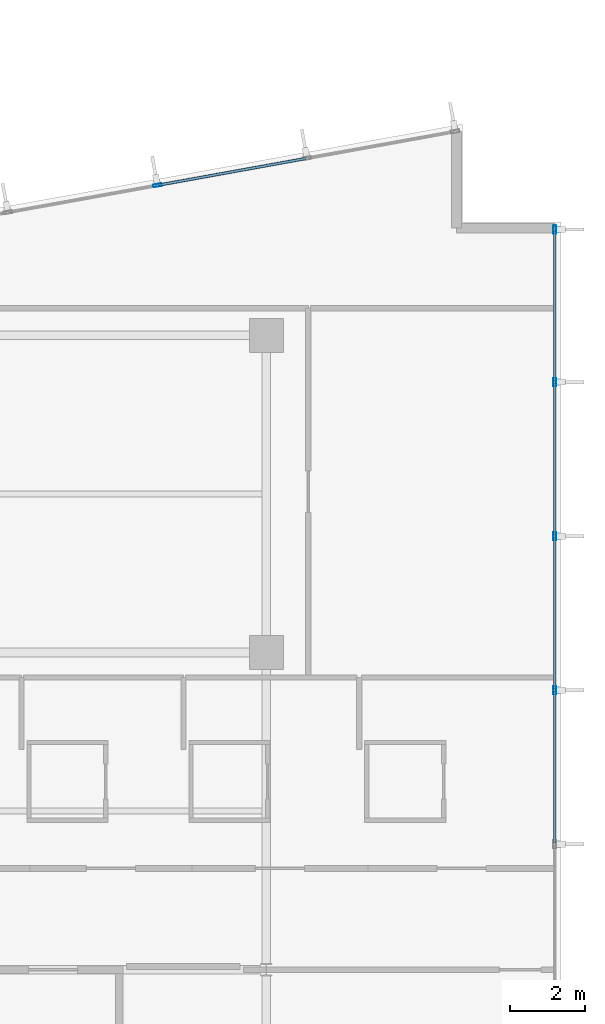
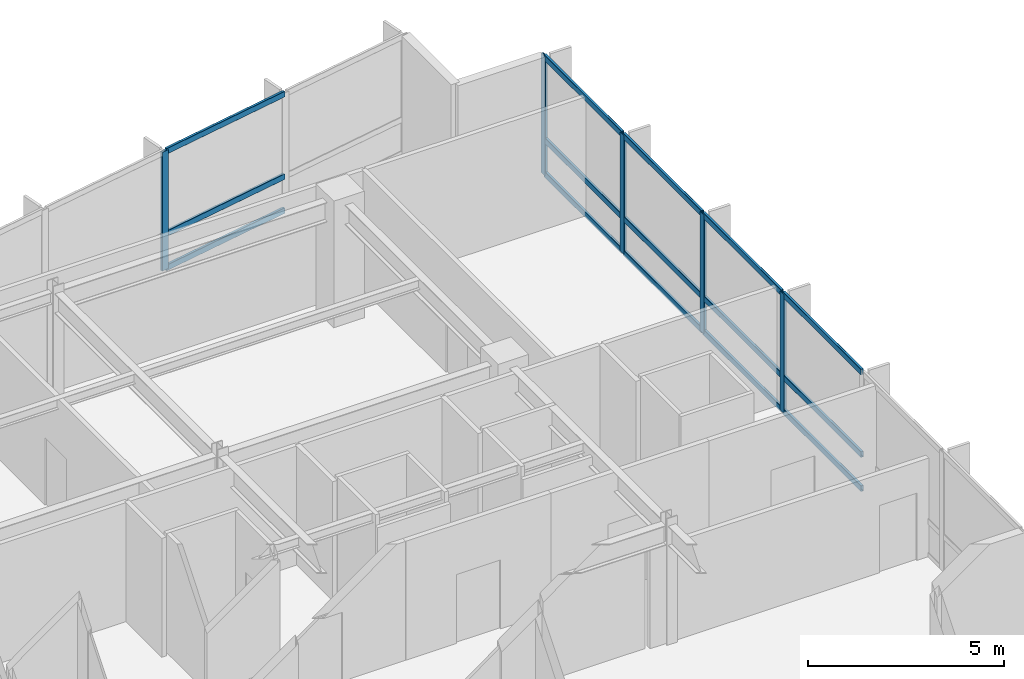
# One storey, part 8 of 19: 20 members, 2 elements without a shape of their own.
"""IFC4 building model written with IfcOpenShell, lengths in metres."""

import ifcopenshell
import ifcopenshell.guid

model = None  # the IFC model being written
_history = None  # IfcOwnerHistory: only IFC2X3 demands one
_inside = {}  # id of a spatial element -> (the spatial element, [elements in it])
_under = {}  # id of a project, library or spatial element -> (it, [spatial elements below it])
_declared = {}  # id of a project -> (the project, [libraries it declares])
_typed = {}  # id of a type object -> (the type object, [elements of that type])
_made_of = {}  # id of a material, layer set ... -> (it, [elements and type objects made of it])


def new_model(schema):
    """Start an empty IFC model of exactly this schema.

    Asked for "IFC4X3", IfcOpenShell would pick the latest addendum, in which some entities
    have other attributes; the version numbers below select the first issue.
    IFC2X3 requires an IfcOwnerHistory on every rooted entity: one is made here for all.
    """
    global model, _history
    if schema == "IFC4X3":
        model = ifcopenshell.file(schema_version=(4, 3, 0, 0))
    else:
        model = ifcopenshell.file(schema=schema)
    _inside.clear()
    _under.clear()
    _declared.clear()
    _typed.clear()
    _made_of.clear()
    _history = None
    if model.schema == "IFC2X3":
        org = make("IfcOrganization", Name="unknown")
        user = make(
            "IfcPersonAndOrganization",
            ThePerson=make("IfcPerson", FamilyName="unknown"),
            TheOrganization=org,
        )
        app = make(
            "IfcApplication",
            ApplicationDeveloper=org,
            Version="unknown",
            ApplicationFullName="unknown",
            ApplicationIdentifier="unknown",
        )
        _history = make(
            "IfcOwnerHistory",
            OwningUser=user,
            OwningApplication=app,
            ChangeAction="ADDED",
            CreationDate=0,
        )
    return model


def make(cls, **values):
    """One entity of the class cls with the attributes given. An attribute that is None is left unset."""
    return model.create_entity(
        cls, **{name: value for name, value in values.items() if value is not None}
    )


def rooted(cls, **values):
    """An entity with a GlobalId (a new one), such as an element, a storey or a relation."""
    return make(cls, GlobalId=ifcopenshell.guid.new(), OwnerHistory=_history, **values)


def si_unit(unit_type, name, prefix=None):
    """IfcSIUnit, for example si_unit("LENGTHUNIT", "METRE", prefix="MILLI")."""
    return make("IfcSIUnit", UnitType=unit_type, Prefix=prefix, Name=name)


def assignment(units):
    """IfcUnitAssignment: the units of a project."""
    return None if units is None else make("IfcUnitAssignment", Units=units)


def point(xyz):
    """IfcCartesianPoint."""
    return None if xyz is None else make("IfcCartesianPoint", Coordinates=xyz)


def direction(xyz):
    """IfcDirection."""
    return None if xyz is None else make("IfcDirection", DirectionRatios=xyz)


def frame(location, z_axis=None, x_axis=None):
    """IfcAxis2Placement3D, a coordinate frame: its origin and axes. An axis left out is left unset."""
    return make(
        "IfcAxis2Placement3D",
        Location=point(location),
        Axis=direction(z_axis),
        RefDirection=direction(x_axis),
    )


def frame_2d(location, x_axis=None):
    """IfcAxis2Placement2D, a coordinate frame in the plane: its origin and x axis."""
    return make(
        "IfcAxis2Placement2D", Location=point(location), RefDirection=direction(x_axis)
    )


def origin():
    """The frame at (0, 0, 0) with its axes left unset."""
    return frame((0.0, 0.0, 0.0))


def origin_2d():
    """The frame at (0, 0) in the plane with its x axis left unset."""
    return frame_2d((0.0, 0.0))


def place(relative_to, where):
    """IfcLocalPlacement: puts the frame where relative to a parent placement (None: the world)."""
    return make(
        "IfcLocalPlacement", PlacementRelTo=relative_to, RelativePlacement=where
    )


def context(
    kind, dimensions, precision=None, world=None, true_north=None, identifier=None
):
    """IfcGeometricRepresentationContext, for example the 3D "Model" context."""
    return make(
        "IfcGeometricRepresentationContext",
        ContextIdentifier=identifier,
        ContextType=kind,
        CoordinateSpaceDimension=dimensions,
        Precision=precision,
        WorldCoordinateSystem=world,
        TrueNorth=true_north,
    )


def subcontext(parent, identifier, kind, view, scale=None):
    """IfcGeometricRepresentationSubContext, for example "Body" below "Model"."""
    return make(
        "IfcGeometricRepresentationSubContext",
        ContextIdentifier=identifier,
        ContextType=kind,
        ParentContext=parent,
        TargetScale=scale,
        TargetView=view,
    )


def project(units=None, contexts=None):
    """IfcProject with its units and contexts."""
    return rooted(
        "IfcProject",
        Name="project",
        RepresentationContexts=contexts,
        UnitsInContext=assignment(units),
    )


def spatial(cls, under=None, at=None, **own):
    """A site, building, storey or space (cls), placed at a placement, below another one or the project."""
    s = rooted(cls, ObjectPlacement=at, **own)
    if under is not None:
        _under.setdefault(under.id(), (under, []))[1].append(s)
    return s


def profile(cls, at=None, kind="AREA", **sizes):
    """A parametric profile (cls). Its sizes go by their IFC names, for example OverallWidth=200.0."""
    return make(cls, ProfileType=kind, Position=at, **sizes)


def hollow_rectangle(**sizes):
    """IfcRectangleHollowProfileDef."""
    return profile("IfcRectangleHollowProfileDef", **sizes)


def extrude(swept, where, along, depth):
    """IfcExtrudedAreaSolid: the profile swept, set in the frame where, extruded along a direction by depth."""
    return make(
        "IfcExtrudedAreaSolid",
        SweptArea=swept,
        Position=where,
        ExtrudedDirection=direction(along),
        Depth=depth,
    )


def shape(context_of_items, identifier, shape_type, items):
    """IfcShapeRepresentation: the items that make up one representation, for example the "Body"."""
    return make(
        "IfcShapeRepresentation",
        ContextOfItems=context_of_items,
        RepresentationIdentifier=identifier,
        RepresentationType=shape_type,
        Items=items,
    )


def material(Name=None, Category=None):
    """IfcMaterial."""
    return make("IfcMaterial", Name=Name, Category=Category)


def layer(
    of_material, thickness, ventilated=None, Name=None, Category=None, Priority=None
):
    """IfcMaterialLayer: one layer of a wall or slab, of a material (None: an air gap)."""
    return make(
        "IfcMaterialLayer",
        Material=of_material,
        LayerThickness=thickness,
        IsVentilated=ventilated,
        Name=Name,
        Category=Category,
        Priority=Priority,
    )


def layer_set(layers, Name=None):
    """IfcMaterialLayerSet."""
    return make("IfcMaterialLayerSet", MaterialLayers=layers, LayerSetName=Name)


def material_profile(
    of_material, cross_section, Name=None, Category=None, Priority=None
):
    """IfcMaterialProfile: a cross section and its material."""
    return make(
        "IfcMaterialProfile",
        Name=Name,
        Material=of_material,
        Profile=cross_section,
        Priority=Priority,
        Category=Category,
    )


def profile_set(profiles, Name=None, composite=None):
    """IfcMaterialProfileSet."""
    return make(
        "IfcMaterialProfileSet",
        Name=Name,
        MaterialProfiles=profiles,
        CompositeProfile=composite,
    )


def made_of(thing, what):
    """Note that an element or type object is made of a material, layer set ...; save() writes the relation."""
    if what is not None:
        _made_of.setdefault(what.id(), (what, []))[1].append(thing)
    return thing


def type_object(cls, material=None, **own):
    """A type object (cls), such as IfcWallType, which elements share."""
    return made_of(rooted(cls, **own), material)


def element(
    cls,
    number,
    at=None,
    inside=None,
    cuts=None,
    type_object=None,
    material=None,
    context=None,
    identifier="Body",
    shape_type=None,
    held_by="IfcProductDefinitionShape",
    body=None,
    shapes=None,
    **own,
):
    """One element of the class cls, such as IfcWall. Its Tag is "e" and its number.

    at: its placement. inside: the storey or other place that contains it. cuts: it is an
    opening in that element (IfcRelVoidsElement). A single representation is given by context,
    identifier, shape_type and body (its items); several are given by shapes. held_by: the class
    of the entity that holds the representations. save() writes the other relations.
    """
    e = rooted(cls, Tag="e%d" % number, ObjectPlacement=at, **own)
    if body is not None:
        shapes = [shape(context, identifier, shape_type, body)]
    if shapes is not None:
        e.Representation = make(held_by, Representations=shapes)
    if inside is not None:
        _inside.setdefault(inside.id(), (inside, []))[1].append(e)
    if cuts is not None:
        rooted(
            "IfcRelVoidsElement", RelatingBuildingElement=cuts, RelatedOpeningElement=e
        )
    if type_object is not None:
        _typed.setdefault(type_object.id(), (type_object, []))[1].append(e)
    return made_of(e, material)


def aggregate(whole, parts):
    """IfcRelAggregates: a whole, such as a stair, and the parts it consists of."""
    return rooted("IfcRelAggregates", RelatingObject=whole, RelatedObjects=parts)


def save(model, path):
    """Write the relations noted so far, then the file.

    IfcRelAggregates (storeys below a building ...), IfcRelContainedInSpatialStructure (elements
    in a storey), IfcRelDefinesByType, IfcRelAssociatesMaterial and IfcRelDeclares: one each for
    every whole, place, type object, material and project.
    """
    for whole, parts in _under.values():
        aggregate(whole, parts)
    for where, things in _inside.values():
        rooted(
            "IfcRelContainedInSpatialStructure",
            RelatedElements=things,
            RelatingStructure=where,
        )
    for kind, things in _typed.values():
        rooted("IfcRelDefinesByType", RelatedObjects=things, RelatingType=kind)
    for what, things in _made_of.values():
        rooted("IfcRelAssociatesMaterial", RelatedObjects=things, RelatingMaterial=what)
    for by, libraries in _declared.values():
        rooted("IfcRelDeclares", RelatingContext=by, RelatedDefinitions=libraries)
    model.write(path)


model = new_model("IFC4")

# Units and contexts
model_context = context("Model", 3, precision=1e-05, world=origin(), true_north=direction((0.0, 1.0)))
body_context = subcontext(model_context, "Body", "Model", "MODEL_VIEW")
ifc_project = project(units=[si_unit("LENGTHUNIT", "METRE"), si_unit("AREAUNIT", "SQUARE_METRE"), si_unit("VOLUMEUNIT", "CUBIC_METRE"), si_unit("PLANEANGLEUNIT", "RADIAN"), si_unit("MASSUNIT", "GRAM", prefix="KILO")], contexts=[model_context])

# Site, building, storey
site_placement = place(None, origin())
site = spatial("IfcSite", under=ifc_project, at=site_placement, CompositionType="ELEMENT")
building_placement = place(site_placement, origin())
building = spatial("IfcBuilding", under=site, at=building_placement, Name="Varnakote Quay Hospital", CompositionType="ELEMENT")
storey_placement = place(building_placement, frame((0.0, 0.0, 85.699951171875)))
storey = spatial("IfcBuildingStorey", under=building, at=storey_placement, Name="L21", CompositionType="ELEMENT", Elevation=85.699951171875)

# Curtain wall, members
ifc_material_1 = material(Name="Anodised aluminium 6063-T6 Bronze", Category="aluminium")
ifc_layer = layer(ifc_material_1, 0.18994140625)
ifc_layer_set = layer_set([ifc_layer], Name="Anodised aluminium 6063-T6 Bronze")
curtain_wall_type = type_object("IfcCurtainWallType", Name="CW-SYS-2", PredefinedType="NOTDEFINED", material=ifc_layer_set)
curtain_wall_1_placement = place(storey_placement, origin())
curtain_wall_1 = element("IfcCurtainWall", 1, at=curtain_wall_1_placement, inside=storey, type_object=curtain_wall_type, Name="L21 Unitised Bronze Curtain Wall 1", PredefinedType="NOTDEFINED")
ifc_material_2 = material(Name="Anodised aluminium 6063-T6 Bronze", Category="aluminium")
ifc_material_profile_1 = material_profile(ifc_material_2, hollow_rectangle(XDim=0.074951171875, YDim=0.219970703125, WallThickness=0.00439453125, InnerFilletRadius=0.00439453125, OuterFilletRadius=0.009033203125, at=origin_2d()), Name="CW-MULL-220x75")
ifc_profile_set_1 = profile_set([ifc_material_profile_1], Name="Anodised aluminium 6063-T6 Bronze")
member_type_1 = type_object("IfcMemberType", Name="CW-MULL-220x75", PredefinedType="MULLION", material=ifc_profile_set_1)
member_1_placement = place(storey_placement, frame((58.0400390625, 19.39990234375, 0.0), z_axis=(0.0, 0.0, 1.0), x_axis=(-1.0, 0.0, 0.0)))
member_1 = element("IfcMember", 2, at=member_1_placement, type_object=member_type_1, Name="-2-L21-1 mullion 4", PredefinedType="MULLION", context=body_context, shape_type="SweptSolid", body=[
    extrude(hollow_rectangle(XDim=0.074951171875, YDim=0.219970703125, WallThickness=0.00439453125, InnerFilletRadius=0.00439453125, OuterFilletRadius=0.009033203125, at=origin_2d()), origin(), (0.0, 0.0, 1.0), 3.7099609375),
])
member_2_placement = place(storey_placement, frame((58.0400390625, 23.47998046875, 0.0), z_axis=(0.0, 0.0, 1.0), x_axis=(-1.0, 0.0, 0.0)))
member_2 = element("IfcMember", 3, at=member_2_placement, type_object=member_type_1, Name="-2-L21-1 mullion 5", PredefinedType="MULLION", context=body_context, shape_type="SweptSolid", body=[
    extrude(hollow_rectangle(XDim=0.074951171875, YDim=0.219970703125, WallThickness=0.00439453125, InnerFilletRadius=0.00439453125, OuterFilletRadius=0.009033203125, at=origin_2d()), origin(), (0.0, 0.0, 1.0), 3.7099609375),
])
member_3_placement = place(storey_placement, frame((58.0400390625, 27.56005859375, 0.0), z_axis=(0.0, 0.0, 1.0), x_axis=(-1.0, 0.0, 0.0)))
member_3 = element("IfcMember", 4, at=member_3_placement, type_object=member_type_1, Name="-2-L21-1 mullion 6", PredefinedType="MULLION", context=body_context, shape_type="SweptSolid", body=[
    extrude(hollow_rectangle(XDim=0.074951171875, YDim=0.219970703125, WallThickness=0.00439453125, InnerFilletRadius=0.00439453125, OuterFilletRadius=0.009033203125, at=origin_2d()), origin(), (0.0, 0.0, 1.0), 3.7099609375),
])
member_4_placement = place(storey_placement, frame((58.0400390625, 31.6025390625, 0.0), z_axis=(0.0, 0.0, 1.0), x_axis=(-1.0, 0.0, 0.0)))
member_4 = element("IfcMember", 5, at=member_4_placement, type_object=member_type_1, Name="-2-L21-1 mullion 7", PredefinedType="MULLION", context=body_context, shape_type="SweptSolid", body=[
    extrude(hollow_rectangle(XDim=0.074951171875, YDim=0.219970703125, WallThickness=0.00439453125, InnerFilletRadius=0.00439453125, OuterFilletRadius=0.009033203125, at=origin_2d()), origin(), (0.0, 0.0, 1.0), 3.7099609375),
])

# Curtain wall, member
curtain_wall_2_placement = place(storey_placement, origin())
curtain_wall_2 = element("IfcCurtainWall", 6, at=curtain_wall_2_placement, inside=storey, type_object=curtain_wall_type, Name="L21 Unitised Bronze Curtain Wall 2", PredefinedType="NOTDEFINED")
member_5_placement = place(storey_placement, frame((47.514892578125, 32.776123046875, 0.0), z_axis=(0.0, 0.0, 1.0), x_axis=(0.177846199098, -0.984058295766, 0.0)))
member_5 = element("IfcMember", 7, at=member_5_placement, type_object=member_type_1, Name="-2-L21-2 mullion 3", PredefinedType="MULLION", context=body_context, shape_type="SweptSolid", body=[
    extrude(hollow_rectangle(XDim=0.074951171875, YDim=0.219970703125, WallThickness=0.00439453125, InnerFilletRadius=0.00439453125, OuterFilletRadius=0.009033203125, at=origin_2d()), origin(), (0.0, 0.0, 1.0), 3.7099609375),
])

# Member
ifc_material_3 = material(Name="Anodised aluminium 6063-T6 Bronze", Category="aluminium")
ifc_material_profile_2 = material_profile(ifc_material_3, hollow_rectangle(XDim=0.074951171875, YDim=0.179931640625, WallThickness=0.004150390625, InnerFilletRadius=0.004150390625, OuterFilletRadius=0.00830078125, at=origin_2d()), Name="CW-TRAN-180x75")
ifc_profile_set_2 = profile_set([ifc_material_profile_2], Name="Anodised aluminium 6063-T6 Bronze")
member_type_2 = type_object("IfcMemberType", Name="CW-TRAN-180x75", PredefinedType="USERDEFINED", material=ifc_profile_set_2)
member_6_placement = place(storey_placement, frame((58.0400390625, 15.357421875, 0.03759765625), z_axis=(0.0, 1.0, 0.0), x_axis=(-1.0, 0.0, 0.0)))
member_6 = element("IfcMember", 8, at=member_6_placement, type_object=member_type_2, Name="-2-L21-1 transom 3.1", ObjectType="TRANSOM", PredefinedType="USERDEFINED", context=body_context, shape_type="SweptSolid", body=[
    extrude(hollow_rectangle(XDim=0.074951171875, YDim=0.179931640625, WallThickness=0.004150390625, InnerFilletRadius=0.004150390625, OuterFilletRadius=0.00830078125, at=origin_2d()), origin(), (0.0, 0.0, 1.0), 4.005126953125),
])

member_7_placement = place(storey_placement, frame((58.0400390625, 15.357421875, 1.10009765625), z_axis=(0.0, 1.0, 0.0), x_axis=(-1.0, 0.0, 0.0)))
member_7 = element("IfcMember", 9, at=member_7_placement, type_object=member_type_2, Name="-2-L21-1 transom 3.2", ObjectType="TRANSOM", PredefinedType="USERDEFINED", context=body_context, shape_type="SweptSolid", body=[
    extrude(hollow_rectangle(XDim=0.074951171875, YDim=0.179931640625, WallThickness=0.004150390625, InnerFilletRadius=0.004150390625, OuterFilletRadius=0.00830078125, at=origin_2d()), origin(), (0.0, 0.0, 1.0), 4.005126953125),
])

member_8_placement = place(storey_placement, frame((58.0400390625, 15.357421875, 3.672607421875), z_axis=(0.0, 1.0, 0.0), x_axis=(-1.0, 0.0, 0.0)))
member_8 = element("IfcMember", 10, at=member_8_placement, type_object=member_type_2, Name="-2-L21-1 transom 3.3", ObjectType="TRANSOM", PredefinedType="USERDEFINED", context=body_context, shape_type="SweptSolid", body=[
    extrude(hollow_rectangle(XDim=0.074951171875, YDim=0.179931640625, WallThickness=0.004150390625, InnerFilletRadius=0.004150390625, OuterFilletRadius=0.00830078125, at=origin_2d()), origin(), (0.0, 0.0, 1.0), 4.005126953125),
])

member_9_placement = place(storey_placement, frame((58.0400390625, 19.4375, 0.03759765625), z_axis=(0.0, 1.0, 0.0), x_axis=(-1.0, 0.0, 0.0)))
member_9 = element("IfcMember", 11, at=member_9_placement, type_object=member_type_2, Name="-2-L21-1 transom 4.1", ObjectType="TRANSOM", PredefinedType="USERDEFINED", context=body_context, shape_type="SweptSolid", body=[
    extrude(hollow_rectangle(XDim=0.074951171875, YDim=0.179931640625, WallThickness=0.004150390625, InnerFilletRadius=0.004150390625, OuterFilletRadius=0.00830078125, at=origin_2d()), origin(), (0.0, 0.0, 1.0), 4.0048828125),
])

member_10_placement = place(storey_placement, frame((58.0400390625, 19.4375, 1.10009765625), z_axis=(0.0, 1.0, 0.0), x_axis=(-1.0, 0.0, 0.0)))
member_10 = element("IfcMember", 12, at=member_10_placement, type_object=member_type_2, Name="-2-L21-1 transom 4.2", ObjectType="TRANSOM", PredefinedType="USERDEFINED", context=body_context, shape_type="SweptSolid", body=[
    extrude(hollow_rectangle(XDim=0.074951171875, YDim=0.179931640625, WallThickness=0.004150390625, InnerFilletRadius=0.004150390625, OuterFilletRadius=0.00830078125, at=origin_2d()), origin(), (0.0, 0.0, 1.0), 4.0048828125),
])

member_11_placement = place(storey_placement, frame((58.0400390625, 19.4375, 3.672607421875), z_axis=(0.0, 1.0, 0.0), x_axis=(-1.0, 0.0, 0.0)))
member_11 = element("IfcMember", 13, at=member_11_placement, type_object=member_type_2, Name="-2-L21-1 transom 4.3", ObjectType="TRANSOM", PredefinedType="USERDEFINED", context=body_context, shape_type="SweptSolid", body=[
    extrude(hollow_rectangle(XDim=0.074951171875, YDim=0.179931640625, WallThickness=0.004150390625, InnerFilletRadius=0.004150390625, OuterFilletRadius=0.00830078125, at=origin_2d()), origin(), (0.0, 0.0, 1.0), 4.0048828125),
])

member_12_placement = place(storey_placement, frame((58.0400390625, 23.517578125, 0.03759765625), z_axis=(0.0, 1.0, 0.0), x_axis=(-1.0, 0.0, 0.0)))
member_12 = element("IfcMember", 14, at=member_12_placement, type_object=member_type_2, Name="-2-L21-1 transom 5.1", ObjectType="TRANSOM", PredefinedType="USERDEFINED", context=body_context, shape_type="SweptSolid", body=[
    extrude(hollow_rectangle(XDim=0.074951171875, YDim=0.179931640625, WallThickness=0.004150390625, InnerFilletRadius=0.004150390625, OuterFilletRadius=0.00830078125, at=origin_2d()), origin(), (0.0, 0.0, 1.0), 4.0048828125),
])

member_13_placement = place(storey_placement, frame((58.0400390625, 23.517578125, 1.10009765625), z_axis=(0.0, 1.0, 0.0), x_axis=(-1.0, 0.0, 0.0)))
member_13 = element("IfcMember", 15, at=member_13_placement, type_object=member_type_2, Name="-2-L21-1 transom 5.2", ObjectType="TRANSOM", PredefinedType="USERDEFINED", context=body_context, shape_type="SweptSolid", body=[
    extrude(hollow_rectangle(XDim=0.074951171875, YDim=0.179931640625, WallThickness=0.004150390625, InnerFilletRadius=0.004150390625, OuterFilletRadius=0.00830078125, at=origin_2d()), origin(), (0.0, 0.0, 1.0), 4.0048828125),
])

member_14_placement = place(storey_placement, frame((58.0400390625, 23.517578125, 3.672607421875), z_axis=(0.0, 1.0, 0.0), x_axis=(-1.0, 0.0, 0.0)))
member_14 = element("IfcMember", 16, at=member_14_placement, type_object=member_type_2, Name="-2-L21-1 transom 5.3", ObjectType="TRANSOM", PredefinedType="USERDEFINED", context=body_context, shape_type="SweptSolid", body=[
    extrude(hollow_rectangle(XDim=0.074951171875, YDim=0.179931640625, WallThickness=0.004150390625, InnerFilletRadius=0.004150390625, OuterFilletRadius=0.00830078125, at=origin_2d()), origin(), (0.0, 0.0, 1.0), 4.0048828125),
])

member_15_placement = place(storey_placement, frame((58.0400390625, 27.597412109375, 0.03759765625), z_axis=(0.0, 1.0, 0.0), x_axis=(-1.0, 0.0, 0.0)))
member_15 = element("IfcMember", 17, at=member_15_placement, type_object=member_type_2, Name="-2-L21-1 transom 6.1", ObjectType="TRANSOM", PredefinedType="USERDEFINED", context=body_context, shape_type="SweptSolid", body=[
    extrude(hollow_rectangle(XDim=0.074951171875, YDim=0.179931640625, WallThickness=0.004150390625, InnerFilletRadius=0.004150390625, OuterFilletRadius=0.00830078125, at=origin_2d()), origin(), (0.0, 0.0, 1.0), 3.967529296875),
])

member_16_placement = place(storey_placement, frame((58.0400390625, 27.597412109375, 1.10009765625), z_axis=(0.0, 1.0, 0.0), x_axis=(-1.0, 0.0, 0.0)))
member_16 = element("IfcMember", 18, at=member_16_placement, type_object=member_type_2, Name="-2-L21-1 transom 6.2", ObjectType="TRANSOM", PredefinedType="USERDEFINED", context=body_context, shape_type="SweptSolid", body=[
    extrude(hollow_rectangle(XDim=0.074951171875, YDim=0.179931640625, WallThickness=0.004150390625, InnerFilletRadius=0.004150390625, OuterFilletRadius=0.00830078125, at=origin_2d()), origin(), (0.0, 0.0, 1.0), 3.967529296875),
])

member_17_placement = place(storey_placement, frame((58.0400390625, 27.597412109375, 3.672607421875), z_axis=(0.0, 1.0, 0.0), x_axis=(-1.0, 0.0, 0.0)))
member_17 = element("IfcMember", 19, at=member_17_placement, type_object=member_type_2, Name="-2-L21-1 transom 6.3", ObjectType="TRANSOM", PredefinedType="USERDEFINED", context=body_context, shape_type="SweptSolid", body=[
    extrude(hollow_rectangle(XDim=0.074951171875, YDim=0.179931640625, WallThickness=0.004150390625, InnerFilletRadius=0.004150390625, OuterFilletRadius=0.00830078125, at=origin_2d()), origin(), (0.0, 0.0, 1.0), 3.967529296875),
])

aggregate(curtain_wall_1, [member_1, member_2, member_3, member_4, member_6, member_7, member_8, member_9, member_10, member_11, member_12, member_13, member_14, member_15, member_16, member_17])

member_18_placement = place(storey_placement, frame((51.4404296875, 33.485595703125, 0.03759765625), z_axis=(-0.984065046829, -0.177808840079, 0.0), x_axis=(0.177808840079, -0.984065046829, 0.0)))
member_18 = element("IfcMember", 20, at=member_18_placement, type_object=member_type_2, Name="-2-L21-2 transom 2.1", ObjectType="TRANSOM", PredefinedType="USERDEFINED", context=body_context, shape_type="SweptSolid", body=[
    extrude(hollow_rectangle(XDim=0.074951171875, YDim=0.179931640625, WallThickness=0.004150390625, InnerFilletRadius=0.004150390625, OuterFilletRadius=0.00830078125, at=origin_2d()), origin(), (0.0, 0.0, 1.0), 3.95166015625),
])

member_19_placement = place(storey_placement, frame((51.4404296875, 33.485595703125, 1.10009765625), z_axis=(-0.984065046829, -0.177808840079, 0.0), x_axis=(0.177808840079, -0.984065046829, 0.0)))
member_19 = element("IfcMember", 21, at=member_19_placement, type_object=member_type_2, Name="-2-L21-2 transom 2.2", ObjectType="TRANSOM", PredefinedType="USERDEFINED", context=body_context, shape_type="SweptSolid", body=[
    extrude(hollow_rectangle(XDim=0.074951171875, YDim=0.179931640625, WallThickness=0.004150390625, InnerFilletRadius=0.004150390625, OuterFilletRadius=0.00830078125, at=origin_2d()), origin(), (0.0, 0.0, 1.0), 3.95166015625),
])

member_20_placement = place(storey_placement, frame((51.4404296875, 33.485595703125, 3.672607421875), z_axis=(-0.984065046829, -0.177808840079, 0.0), x_axis=(0.177808840079, -0.984065046829, 0.0)))
member_20 = element("IfcMember", 22, at=member_20_placement, type_object=member_type_2, Name="-2-L21-2 transom 2.3", ObjectType="TRANSOM", PredefinedType="USERDEFINED", context=body_context, shape_type="SweptSolid", body=[
    extrude(hollow_rectangle(XDim=0.074951171875, YDim=0.179931640625, WallThickness=0.004150390625, InnerFilletRadius=0.004150390625, OuterFilletRadius=0.00830078125, at=origin_2d()), origin(), (0.0, 0.0, 1.0), 3.95166015625),
])

aggregate(curtain_wall_2, [member_5, member_18, member_19, member_20])

save(model, "model.ifc")
